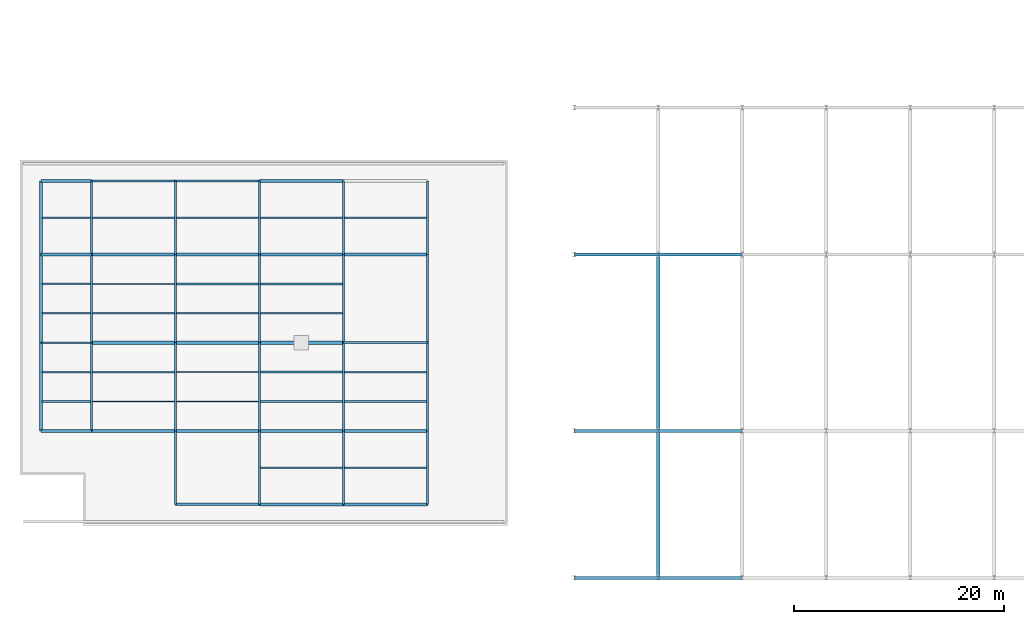
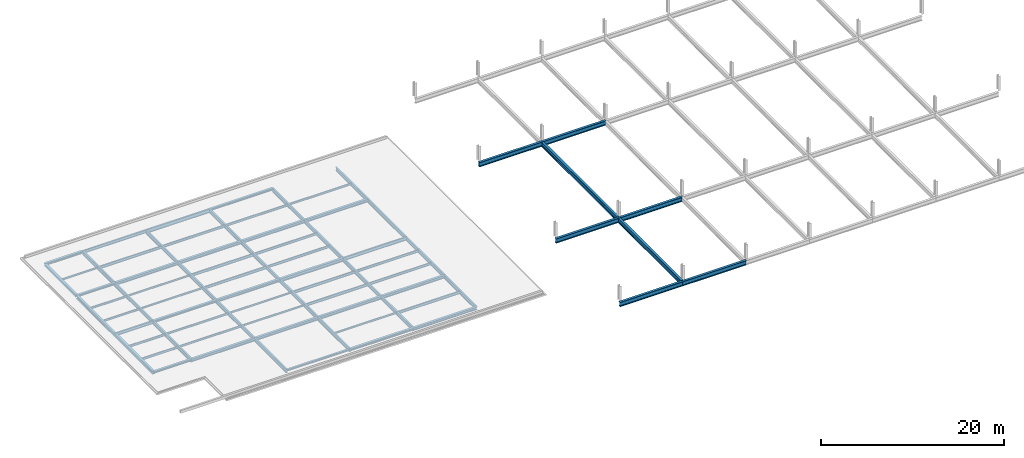
# One storey, part 11 of 25: 77 beams.
"""IFC4 building model written with IfcOpenShell, lengths in metres."""

from ifc_helpers import new_model, si_unit, direction, frame, origin, origin_2d, place, context, subcontext, project, spatial, i_section, extrude, material, material_profile, profile_set, type_object, element, save


model = new_model("IFC4")

# Units and contexts
model_context = context("Model", 3, precision=1e-05, world=origin(), true_north=direction((0.0, 1.0)))
body_context = subcontext(model_context, "Body", "Model", "MODEL_VIEW")
ifc_project = project(units=[si_unit("LENGTHUNIT", "METRE"), si_unit("AREAUNIT", "SQUARE_METRE"), si_unit("VOLUMEUNIT", "CUBIC_METRE"), si_unit("PLANEANGLEUNIT", "RADIAN"), si_unit("MASSUNIT", "GRAM", prefix="KILO")], contexts=[model_context])

# Site, building, storey
site_placement = place(None, origin())
site = spatial("IfcSite", under=ifc_project, at=site_placement, CompositionType="ELEMENT")
building_placement = place(site_placement, origin())
building = spatial("IfcBuilding", under=site, at=building_placement, Name="Vekula Escarpment Museum", CompositionType="ELEMENT")
storey_placement = place(building_placement, frame((0.0, 0.0, 26.39990234375)))
storey = spatial("IfcBuildingStorey", under=building, at=storey_placement, Name="L06", CompositionType="ELEMENT", Elevation=26.39990234375)

# Beams
ifc_material_1 = material(Name="Steel S355", Category="steel")
ifc_material_profile_1 = material_profile(ifc_material_1, i_section(OverallWidth=0.280029296875, OverallDepth=0.280029296875, WebThickness=0.010498046875, FlangeThickness=0.01806640625, FilletRadius=0.02392578125, at=origin_2d()), Name="HEB 280")
ifc_profile_set_1 = profile_set([ifc_material_profile_1], Name="Steel S355")
beam_type_1 = type_object("IfcBeamType", Name="BM-GIRD-HEB280", PredefinedType="BEAM", material=ifc_profile_set_1)
beam_1_placement = place(storey_placement, frame((40.0, 83.39990234375, -0.33984375), z_axis=(1.0, 0.0, 0.0), x_axis=(0.0, 1.0, 0.0)))
element("IfcBeam", 1, at=beam_1_placement, inside=storey, type_object=beam_type_1, Name="Beam X L06 2225", PredefinedType="BEAM", context=body_context, shape_type="SweptSolid", body=[
    extrude(i_section(OverallWidth=0.280029296875, OverallDepth=0.280029296875, WebThickness=0.010498046875, FlangeThickness=0.01806640625, FilletRadius=0.02392578125, at=origin_2d()), origin(), (0.0, 0.0, 1.0), 8.0),
])
ifc_material_2 = material(Name="Steel S355", Category="steel")
ifc_material_profile_2 = material_profile(ifc_material_2, i_section(OverallWidth=0.300048828125, OverallDepth=0.300048828125, WebThickness=0.010986328125, FlangeThickness=0.01904296875, FilletRadius=0.027099609375, at=origin_2d()), Name="HEB 300")
ifc_profile_set_2 = profile_set([ifc_material_profile_2], Name="Steel S355")
beam_type_2 = type_object("IfcBeamType", Name="BM-GIRD-HEB300", PredefinedType="BEAM", material=ifc_profile_set_2)
for number, where, z_axis, x_axis, name in (
    (2, (40.0, 52.60009765625, -0.349853515625), (1.0, 0.0, 0.0), (0.0, 1.0, 0.0), "Beam X L06 2192"),
    (3, (24.0, 68.0, -0.349853515625), (1.0, 0.0, 0.0), (0.0, 1.0, 0.0), "Beam X L06 2205"),
):
    element("IfcBeam", number, at=place(storey_placement, frame(where, z_axis=z_axis, x_axis=x_axis)), inside=storey, type_object=beam_type_2, Name=name, PredefinedType="BEAM", context=body_context, shape_type="SweptSolid", body=[
        extrude(i_section(OverallWidth=0.300048828125, OverallDepth=0.300048828125, WebThickness=0.010986328125, FlangeThickness=0.01904296875, FilletRadius=0.027099609375, at=origin_2d()), origin(), (0.0, 0.0, 1.0), 8.0),
    ])
beam_2_placement = place(storey_placement, frame((19.199951171875, 83.39990234375, -0.349853515625), z_axis=(1.0, 0.0, 0.0), x_axis=(0.0, 1.0, 0.0)))
element("IfcBeam", 4, at=beam_2_placement, inside=storey, type_object=beam_type_2, Name="Beam X L06 2222", PredefinedType="BEAM", context=body_context, shape_type="SweptSolid", body=[
    extrude(i_section(OverallWidth=0.300048828125, OverallDepth=0.300048828125, WebThickness=0.010986328125, FlangeThickness=0.01904296875, FilletRadius=0.027099609375, at=origin_2d()), origin(), (0.0, 0.0, 1.0), 4.800048828125),
])
ifc_material_3 = material(Name="Steel S355", Category="steel")
ifc_material_profile_3 = material_profile(ifc_material_3, i_section(OverallWidth=0.300048828125, OverallDepth=0.360107421875, WebThickness=0.012451171875, FlangeThickness=0.0224609375, FilletRadius=0.027099609375, at=origin_2d()), Name="HEB 360")
ifc_profile_set_3 = profile_set([ifc_material_profile_3], Name="Steel S355")
beam_type_3 = type_object("IfcBeamType", Name="BM-GIRD-HEB360", PredefinedType="BEAM", material=ifc_profile_set_3)
for number, where, z_axis, x_axis, name in (
    (5, (48.0, 52.60009765625, -0.3798828125), (1.0, 0.0, 0.0), (0.0, 1.0, 0.0), "Beam X L06 2193"),
    (6, (32.0, 68.0, -0.3798828125), (1.0, 0.0, 0.0), (0.0, 1.0, 0.0), "Beam X L06 2206"),
):
    element("IfcBeam", number, at=place(storey_placement, frame(where, z_axis=z_axis, x_axis=x_axis)), inside=storey, type_object=beam_type_3, Name=name, PredefinedType="BEAM", context=body_context, shape_type="SweptSolid", body=[
        extrude(i_section(OverallWidth=0.300048828125, OverallDepth=0.360107421875, WebThickness=0.012451171875, FlangeThickness=0.0224609375, FilletRadius=0.027099609375, at=origin_2d()), origin(), (0.0, 0.0, 1.0), 8.0),
    ])
ifc_material_4 = material(Name="Steel S355", Category="steel")
ifc_material_profile_4 = material_profile(ifc_material_4, i_section(OverallWidth=0.300048828125, OverallDepth=0.449951171875, WebThickness=0.013916015625, FlangeThickness=0.02587890625, FilletRadius=0.027099609375, at=origin_2d()), Name="HEB 450")
ifc_profile_set_4 = profile_set([ifc_material_profile_4], Name="Steel S355")
beam_type_4 = type_object("IfcBeamType", Name="BM-GIRD-HEB450", PredefinedType="BEAM", material=ifc_profile_set_4)
beam_3_placement = place(storey_placement, frame((40.0, 68.0, -0.4248046875), z_axis=(1.0, 0.0, 0.0), x_axis=(0.0, 1.0, 0.0)))
element("IfcBeam", 7, at=beam_3_placement, inside=storey, type_object=beam_type_4, Name="Beam X L06 2207", PredefinedType="BEAM", context=body_context, shape_type="SweptSolid", body=[
    extrude(i_section(OverallWidth=0.300048828125, OverallDepth=0.449951171875, WebThickness=0.013916015625, FlangeThickness=0.02587890625, FilletRadius=0.027099609375, at=origin_2d()), origin(), (0.0, 0.0, 1.0), 8.0),
])
ifc_material_5 = material(Name="Steel S355", Category="steel")
ifc_material_profile_5 = material_profile(ifc_material_5, i_section(OverallWidth=0.300048828125, OverallDepth=0.60009765625, WebThickness=0.015380859375, FlangeThickness=0.030029296875, FilletRadius=0.027099609375, at=origin_2d()), Name="HEB 600")
ifc_profile_set_5 = profile_set([ifc_material_profile_5], Name="Steel S355")
beam_type_5 = type_object("IfcBeamType", Name="BM-GIRD-HEB600", PredefinedType="BEAM", material=ifc_profile_set_5)
for number, where, z_axis, x_axis, name in (
    (8, (70.0, 45.60009765625, -0.5498046875), (1.0, 0.0, 0.0), (0.0, 1.0, 0.0), "Roof Tie Girder L06 2384"),
    (9, (78.0, 45.60009765625, -0.5498046875), (1.0, 0.0, 0.0), (0.0, 1.0, 0.0), "Roof Tie Girder L06 2385"),
    (10, (70.0, 59.60009765625, -0.5498046875), (1.0, 0.0, 0.0), (0.0, 1.0, 0.0), "Roof Tie Girder L06 2391"),
    (11, (78.0, 59.60009765625, -0.5498046875), (1.0, 0.0, 0.0), (0.0, 1.0, 0.0), "Roof Tie Girder L06 2392"),
    (12, (70.0, 76.39990234375, -0.5498046875), (1.0, 0.0, 0.0), (0.0, 1.0, 0.0), "Roof Tie Girder L06 2398"),
    (13, (78.0, 76.39990234375, -0.5498046875), (1.0, 0.0, 0.0), (0.0, 1.0, 0.0), "Roof Tie Girder L06 2399"),
):
    element("IfcBeam", number, at=place(storey_placement, frame(where, z_axis=z_axis, x_axis=x_axis)), inside=storey, type_object=beam_type_5, Name=name, PredefinedType="BEAM", context=body_context, shape_type="SweptSolid", body=[
        extrude(i_section(OverallWidth=0.300048828125, OverallDepth=0.60009765625, WebThickness=0.015380859375, FlangeThickness=0.030029296875, FilletRadius=0.027099609375, at=origin_2d()), origin(), (0.0, 0.0, 1.0), 8.0),
    ])
beam_4_placement = place(storey_placement, frame((78.0, 45.60009765625, -0.5498046875), z_axis=(0.0, 1.0, 0.0), x_axis=(-1.0, 0.0, 0.0)))
element("IfcBeam", 14, at=beam_4_placement, inside=storey, type_object=beam_type_5, Name="Sawtooth Tie Girder L06 2412", PredefinedType="BEAM", context=body_context, shape_type="SweptSolid", body=[
    extrude(i_section(OverallWidth=0.300048828125, OverallDepth=0.60009765625, WebThickness=0.015380859375, FlangeThickness=0.030029296875, FilletRadius=0.027099609375, at=origin_2d()), origin(), (0.0, 0.0, 1.0), 14.0),
])
beam_5_placement = place(storey_placement, frame((78.0, 59.60009765625, -0.5498046875), z_axis=(0.0, 1.0, 0.0), x_axis=(-1.0, 0.0, 0.0)))
element("IfcBeam", 15, at=beam_5_placement, inside=storey, type_object=beam_type_5, Name="Sawtooth Tie Girder L06 2413", PredefinedType="BEAM", context=body_context, shape_type="SweptSolid", body=[
    extrude(i_section(OverallWidth=0.300048828125, OverallDepth=0.60009765625, WebThickness=0.015380859375, FlangeThickness=0.030029296875, FilletRadius=0.027099609375, at=origin_2d()), origin(), (0.0, 0.0, 1.0), 16.7998046875),
])
ifc_material_6 = material(Name="Steel S355", Category="steel")
ifc_material_profile_6 = material_profile(ifc_material_6, i_section(OverallWidth=0.179931640625, OverallDepth=0.39990234375, WebThickness=0.008544921875, FlangeThickness=0.013427734375, FilletRadius=0.02099609375, at=origin_2d()), Name="IPE 400")
ifc_profile_set_6 = profile_set([ifc_material_profile_6], Name="Steel S355")
beam_type_6 = type_object("IfcBeamType", Name="BM-GIRD-IPE400", PredefinedType="BEAM", material=ifc_profile_set_6)
beam_6_placement = place(storey_placement, frame((19.199951171875, 68.0, -0.39990234375), z_axis=(1.0, 0.0, 0.0), x_axis=(0.0, 1.0, 0.0)))
element("IfcBeam", 16, at=beam_6_placement, inside=storey, type_object=beam_type_6, Name="Beam X L06 2204", PredefinedType="BEAM", context=body_context, shape_type="SweptSolid", body=[
    extrude(i_section(OverallWidth=0.179931640625, OverallDepth=0.39990234375, WebThickness=0.008544921875, FlangeThickness=0.013427734375, FilletRadius=0.02099609375, at=origin_2d()), origin(), (0.0, 0.0, 1.0), 4.800048828125),
])
beam_7_placement = place(storey_placement, frame((24.0, 83.39990234375, -0.39990234375), z_axis=(1.0, 0.0, 0.0), x_axis=(0.0, 1.0, 0.0)))
element("IfcBeam", 17, at=beam_7_placement, inside=storey, type_object=beam_type_6, Name="Beam X L06 2223", PredefinedType="BEAM", context=body_context, shape_type="SweptSolid", body=[
    extrude(i_section(OverallWidth=0.179931640625, OverallDepth=0.39990234375, WebThickness=0.008544921875, FlangeThickness=0.013427734375, FilletRadius=0.02099609375, at=origin_2d()), origin(), (0.0, 0.0, 1.0), 8.0),
])
ifc_material_7 = material(Name="Steel S355", Category="steel")
ifc_material_profile_7 = material_profile(ifc_material_7, i_section(OverallWidth=0.18994140625, OverallDepth=0.449951171875, WebThickness=0.009521484375, FlangeThickness=0.0146484375, FilletRadius=0.02099609375, at=origin_2d()), Name="IPE 450")
ifc_profile_set_7 = profile_set([ifc_material_profile_7], Name="Steel S355")
beam_type_7 = type_object("IfcBeamType", Name="BM-GIRD-IPE450", PredefinedType="BEAM", material=ifc_profile_set_7)
beam_8_placement = place(storey_placement, frame((48.0, 68.0, -0.4248046875), z_axis=(1.0, 0.0, 0.0), x_axis=(0.0, 1.0, 0.0)))
element("IfcBeam", 18, at=beam_8_placement, inside=storey, type_object=beam_type_7, Name="Beam X L06 2208", PredefinedType="BEAM", context=body_context, shape_type="SweptSolid", body=[
    extrude(i_section(OverallWidth=0.18994140625, OverallDepth=0.449951171875, WebThickness=0.009521484375, FlangeThickness=0.0146484375, FilletRadius=0.02099609375, at=origin_2d()), origin(), (0.0, 0.0, 1.0), 8.0),
])
ifc_material_8 = material(Name="Steel S355", Category="steel")
ifc_material_profile_8 = material_profile(ifc_material_8, i_section(OverallWidth=0.199951171875, OverallDepth=0.5, WebThickness=0.01025390625, FlangeThickness=0.01611328125, FilletRadius=0.02099609375, at=origin_2d()), Name="IPE 500")
ifc_profile_set_8 = profile_set([ifc_material_profile_8], Name="Steel S355")
beam_type_8 = type_object("IfcBeamType", Name="BM-GIRD-IPE500", PredefinedType="BEAM", material=ifc_profile_set_8)
beam_9_placement = place(storey_placement, frame((32.0, 83.39990234375, -0.449951171875), z_axis=(1.0, 0.0, 0.0), x_axis=(0.0, 1.0, 0.0)))
element("IfcBeam", 19, at=beam_9_placement, inside=storey, type_object=beam_type_8, Name="Beam X L06 2224", PredefinedType="BEAM", context=body_context, shape_type="SweptSolid", body=[
    extrude(i_section(OverallWidth=0.199951171875, OverallDepth=0.5, WebThickness=0.01025390625, FlangeThickness=0.01611328125, FilletRadius=0.02099609375, at=origin_2d()), origin(), (0.0, 0.0, 1.0), 8.0),
])
for number, where, z_axis, x_axis, name in (
    (20, (24.0, 59.60009765625, -0.449951171875), (0.0, 1.0, 0.0), (-1.0, 0.0, 0.0), "Beam Y L06 2247"),
    (21, (24.0, 68.0, -0.449951171875), (0.0, 1.0, 0.0), (-1.0, 0.0, 0.0), "Beam Y L06 2248"),
):
    element("IfcBeam", number, at=place(storey_placement, frame(where, z_axis=z_axis, x_axis=x_axis)), inside=storey, type_object=beam_type_8, Name=name, PredefinedType="BEAM", context=body_context, shape_type="SweptSolid", body=[
        extrude(i_section(OverallWidth=0.199951171875, OverallDepth=0.5, WebThickness=0.01025390625, FlangeThickness=0.01611328125, FilletRadius=0.02099609375, at=origin_2d()), origin(), (0.0, 0.0, 1.0), 8.39990234375),
    ])
for number, where, z_axis, x_axis, name in (
    (22, (24.0, 76.39990234375, -0.449951171875), (0.0, 1.0, 0.0), (-1.0, 0.0, 0.0), "Beam Y L06 2249"),
    (23, (32.0, 52.60009765625, -0.449951171875), (0.0, 1.0, 0.0), (-1.0, 0.0, 0.0), "Beam Y L06 2250"),
):
    element("IfcBeam", number, at=place(storey_placement, frame(where, z_axis=z_axis, x_axis=x_axis)), inside=storey, type_object=beam_type_8, Name=name, PredefinedType="BEAM", context=body_context, shape_type="SweptSolid", body=[
        extrude(i_section(OverallWidth=0.199951171875, OverallDepth=0.5, WebThickness=0.01025390625, FlangeThickness=0.01611328125, FilletRadius=0.02099609375, at=origin_2d()), origin(), (0.0, 0.0, 1.0), 7.0),
    ])
for number, where, z_axis, x_axis, name in (
    (24, (32.0, 59.60009765625, -0.449951171875), (0.0, 1.0, 0.0), (-1.0, 0.0, 0.0), "Beam Y L06 2251"),
    (25, (32.0, 68.0, -0.449951171875), (0.0, 1.0, 0.0), (-1.0, 0.0, 0.0), "Beam Y L06 2252"),
):
    element("IfcBeam", number, at=place(storey_placement, frame(where, z_axis=z_axis, x_axis=x_axis)), inside=storey, type_object=beam_type_8, Name=name, PredefinedType="BEAM", context=body_context, shape_type="SweptSolid", body=[
        extrude(i_section(OverallWidth=0.199951171875, OverallDepth=0.5, WebThickness=0.01025390625, FlangeThickness=0.01611328125, FilletRadius=0.02099609375, at=origin_2d()), origin(), (0.0, 0.0, 1.0), 8.39990234375),
    ])
for number, where, z_axis, x_axis, name in (
    (26, (32.0, 76.39990234375, -0.449951171875), (0.0, 1.0, 0.0), (-1.0, 0.0, 0.0), "Beam Y L06 2253"),
    (27, (40.0, 52.60009765625, -0.449951171875), (0.0, 1.0, 0.0), (-1.0, 0.0, 0.0), "Beam Y L06 2254"),
):
    element("IfcBeam", number, at=place(storey_placement, frame(where, z_axis=z_axis, x_axis=x_axis)), inside=storey, type_object=beam_type_8, Name=name, PredefinedType="BEAM", context=body_context, shape_type="SweptSolid", body=[
        extrude(i_section(OverallWidth=0.199951171875, OverallDepth=0.5, WebThickness=0.01025390625, FlangeThickness=0.01611328125, FilletRadius=0.02099609375, at=origin_2d()), origin(), (0.0, 0.0, 1.0), 7.0),
    ])
for number, where, z_axis, x_axis, name in (
    (28, (40.0, 59.60009765625, -0.449951171875), (0.0, 1.0, 0.0), (-1.0, 0.0, 0.0), "Beam Y L06 2255"),
    (29, (40.0, 68.0, -0.449951171875), (0.0, 1.0, 0.0), (-1.0, 0.0, 0.0), "Beam Y L06 2256"),
):
    element("IfcBeam", number, at=place(storey_placement, frame(where, z_axis=z_axis, x_axis=x_axis)), inside=storey, type_object=beam_type_8, Name=name, PredefinedType="BEAM", context=body_context, shape_type="SweptSolid", body=[
        extrude(i_section(OverallWidth=0.199951171875, OverallDepth=0.5, WebThickness=0.01025390625, FlangeThickness=0.01611328125, FilletRadius=0.02099609375, at=origin_2d()), origin(), (0.0, 0.0, 1.0), 8.39990234375),
    ])
for number, where, z_axis, x_axis, name in (
    (30, (40.0, 76.39990234375, -0.449951171875), (0.0, 1.0, 0.0), (-1.0, 0.0, 0.0), "Beam Y L06 2257"),
    (31, (48.0, 52.60009765625, -0.449951171875), (0.0, 1.0, 0.0), (-1.0, 0.0, 0.0), "Beam Y L06 2258"),
):
    element("IfcBeam", number, at=place(storey_placement, frame(where, z_axis=z_axis, x_axis=x_axis)), inside=storey, type_object=beam_type_8, Name=name, PredefinedType="BEAM", context=body_context, shape_type="SweptSolid", body=[
        extrude(i_section(OverallWidth=0.199951171875, OverallDepth=0.5, WebThickness=0.01025390625, FlangeThickness=0.01611328125, FilletRadius=0.02099609375, at=origin_2d()), origin(), (0.0, 0.0, 1.0), 7.0),
    ])
for number, where, z_axis, x_axis, name in (
    (32, (48.0, 59.60009765625, -0.449951171875), (0.0, 1.0, 0.0), (-1.0, 0.0, 0.0), "Beam Y L06 2259"),
    (33, (48.0, 68.0, -0.449951171875), (0.0, 1.0, 0.0), (-1.0, 0.0, 0.0), "Beam Y L06 2260"),
):
    element("IfcBeam", number, at=place(storey_placement, frame(where, z_axis=z_axis, x_axis=x_axis)), inside=storey, type_object=beam_type_8, Name=name, PredefinedType="BEAM", context=body_context, shape_type="SweptSolid", body=[
        extrude(i_section(OverallWidth=0.199951171875, OverallDepth=0.5, WebThickness=0.01025390625, FlangeThickness=0.01611328125, FilletRadius=0.02099609375, at=origin_2d()), origin(), (0.0, 0.0, 1.0), 8.39990234375),
    ])
for number, where, z_axis, x_axis, name in (
    (34, (48.0, 76.39990234375, -0.449951171875), (0.0, 1.0, 0.0), (-1.0, 0.0, 0.0), "Beam Y L06 2261"),
    (35, (56.0, 52.60009765625, -0.449951171875), (0.0, 1.0, 0.0), (-1.0, 0.0, 0.0), "Beam Y L06 2262"),
):
    element("IfcBeam", number, at=place(storey_placement, frame(where, z_axis=z_axis, x_axis=x_axis)), inside=storey, type_object=beam_type_8, Name=name, PredefinedType="BEAM", context=body_context, shape_type="SweptSolid", body=[
        extrude(i_section(OverallWidth=0.199951171875, OverallDepth=0.5, WebThickness=0.01025390625, FlangeThickness=0.01611328125, FilletRadius=0.02099609375, at=origin_2d()), origin(), (0.0, 0.0, 1.0), 7.0),
    ])
for number, where, z_axis, x_axis, name in (
    (36, (56.0, 59.60009765625, -0.449951171875), (0.0, 1.0, 0.0), (-1.0, 0.0, 0.0), "Beam Y L06 2263"),
    (37, (56.0, 68.0, -0.449951171875), (0.0, 1.0, 0.0), (-1.0, 0.0, 0.0), "Beam Y L06 2264"),
):
    element("IfcBeam", number, at=place(storey_placement, frame(where, z_axis=z_axis, x_axis=x_axis)), inside=storey, type_object=beam_type_8, Name=name, PredefinedType="BEAM", context=body_context, shape_type="SweptSolid", body=[
        extrude(i_section(OverallWidth=0.199951171875, OverallDepth=0.5, WebThickness=0.01025390625, FlangeThickness=0.01611328125, FilletRadius=0.02099609375, at=origin_2d()), origin(), (0.0, 0.0, 1.0), 8.39990234375),
    ])
beam_10_placement = place(storey_placement, frame((56.0, 76.39990234375, -0.449951171875), z_axis=(0.0, 1.0, 0.0), x_axis=(-1.0, 0.0, 0.0)))
element("IfcBeam", 38, at=beam_10_placement, inside=storey, type_object=beam_type_8, Name="Beam Y L06 2265", PredefinedType="BEAM", context=body_context, shape_type="SweptSolid", body=[
    extrude(i_section(OverallWidth=0.199951171875, OverallDepth=0.5, WebThickness=0.01025390625, FlangeThickness=0.01611328125, FilletRadius=0.02099609375, at=origin_2d()), origin(), (0.0, 0.0, 1.0), 7.0),
])
ifc_material_9 = material(Name="Steel S355", Category="steel")
ifc_material_profile_9 = material_profile(ifc_material_9, i_section(OverallWidth=0.1201171875, OverallDepth=0.239990234375, WebThickness=0.006103515625, FlangeThickness=0.009765625, FilletRadius=0.014892578125, at=origin_2d()), Name="IPE 240")
ifc_profile_set_9 = profile_set([ifc_material_profile_9], Name="Steel S355")
beam_type_9 = type_object("IfcBeamType", Name="BM-JST-IPE240", PredefinedType="JOIST", material=ifc_profile_set_9)
beam_11_placement = place(storey_placement, frame((19.2900390625, 79.89990234375, -0.31982421875), z_axis=(1.0, 0.0, 0.0), x_axis=(0.0, 1.0, 0.0)))
element("IfcBeam", 39, at=beam_11_placement, inside=storey, type_object=beam_type_9, Name="Secondary Joist L06 1429", PredefinedType="JOIST", context=body_context, shape_type="SweptSolid", body=[
    extrude(i_section(OverallWidth=0.1201171875, OverallDepth=0.239990234375, WebThickness=0.006103515625, FlangeThickness=0.009765625, FilletRadius=0.014892578125, at=origin_2d()), origin(), (0.0, 0.0, 1.0), 4.619873046875),
])
for number, where, z_axis, x_axis, name in (
    (40, (24.090087890625, 70.800048828125, -0.31982421875), (1.0, 0.0, 0.0), (0.0, 1.0, 0.0), "Secondary Joist L06 1432"),
    (41, (24.090087890625, 73.60009765625, -0.31982421875), (1.0, 0.0, 0.0), (0.0, 1.0, 0.0), "Secondary Joist L06 1433"),
    (42, (32.090087890625, 62.39990234375, -0.31982421875), (1.0, 0.0, 0.0), (0.0, 1.0, 0.0), "Secondary Joist L06 1435"),
    (43, (32.090087890625, 65.199951171875, -0.31982421875), (1.0, 0.0, 0.0), (0.0, 1.0, 0.0), "Secondary Joist L06 1436"),
    (44, (40.090087890625, 56.10009765625, -0.31982421875), (1.0, 0.0, 0.0), (0.0, 1.0, 0.0), "Secondary Joist L06 1440"),
):
    element("IfcBeam", number, at=place(storey_placement, frame(where, z_axis=z_axis, x_axis=x_axis)), inside=storey, type_object=beam_type_9, Name=name, PredefinedType="JOIST", context=body_context, shape_type="SweptSolid", body=[
        extrude(i_section(OverallWidth=0.1201171875, OverallDepth=0.239990234375, WebThickness=0.006103515625, FlangeThickness=0.009765625, FilletRadius=0.014892578125, at=origin_2d()), origin(), (0.0, 0.0, 1.0), 7.81982421875),
    ])
ifc_material_10 = material(Name="Steel S355", Category="steel")
ifc_material_profile_10 = material_profile(ifc_material_10, i_section(OverallWidth=0.135009765625, OverallDepth=0.27001953125, WebThickness=0.006591796875, FlangeThickness=0.01025390625, FilletRadius=0.014892578125, at=origin_2d()), Name="IPE 270")
ifc_profile_set_10 = profile_set([ifc_material_profile_10], Name="Steel S355")
beam_type_10 = type_object("IfcBeamType", Name="BM-JST-IPE270", PredefinedType="JOIST", material=ifc_profile_set_10)
for number, where, z_axis, x_axis, name in (
    (45, (19.2900390625, 70.800048828125, -0.3349609375), (1.0, 0.0, 0.0), (0.0, 1.0, 0.0), "Secondary Joist L06 1427"),
    (46, (19.2900390625, 73.60009765625, -0.3349609375), (1.0, 0.0, 0.0), (0.0, 1.0, 0.0), "Secondary Joist L06 1428"),
):
    element("IfcBeam", number, at=place(storey_placement, frame(where, z_axis=z_axis, x_axis=x_axis)), inside=storey, type_object=beam_type_10, Name=name, PredefinedType="JOIST", context=body_context, shape_type="SweptSolid", body=[
        extrude(i_section(OverallWidth=0.135009765625, OverallDepth=0.27001953125, WebThickness=0.006591796875, FlangeThickness=0.01025390625, FilletRadius=0.014892578125, at=origin_2d()), origin(), (0.0, 0.0, 1.0), 4.619873046875),
    ])
for number, where, z_axis, x_axis, name in (
    (47, (24.090087890625, 62.39990234375, -0.3349609375), (1.0, 0.0, 0.0), (0.0, 1.0, 0.0), "Secondary Joist L06 1430"),
    (48, (24.090087890625, 65.199951171875, -0.3349609375), (1.0, 0.0, 0.0), (0.0, 1.0, 0.0), "Secondary Joist L06 1431"),
    (49, (48.090087890625, 79.89990234375, -0.3349609375), (1.0, 0.0, 0.0), (0.0, 1.0, 0.0), "Secondary Joist L06 1449"),
):
    element("IfcBeam", number, at=place(storey_placement, frame(where, z_axis=z_axis, x_axis=x_axis)), inside=storey, type_object=beam_type_10, Name=name, PredefinedType="JOIST", context=body_context, shape_type="SweptSolid", body=[
        extrude(i_section(OverallWidth=0.135009765625, OverallDepth=0.27001953125, WebThickness=0.006591796875, FlangeThickness=0.01025390625, FilletRadius=0.014892578125, at=origin_2d()), origin(), (0.0, 0.0, 1.0), 7.81982421875),
    ])
ifc_material_11 = material(Name="Steel S355", Category="steel")
ifc_material_profile_11 = material_profile(ifc_material_11, i_section(OverallWidth=0.14990234375, OverallDepth=0.300048828125, WebThickness=0.007080078125, FlangeThickness=0.0107421875, FilletRadius=0.014892578125, at=origin_2d()), Name="IPE 300")
ifc_profile_set_11 = profile_set([ifc_material_profile_11], Name="Steel S355")
beam_type_11 = type_object("IfcBeamType", Name="BM-JST-IPE300", PredefinedType="JOIST", material=ifc_profile_set_11)
for number, where, z_axis, x_axis, name in (
    (50, (19.2900390625, 62.39990234375, -0.349853515625), (1.0, 0.0, 0.0), (0.0, 1.0, 0.0), "Secondary Joist L06 1425"),
    (51, (19.2900390625, 65.199951171875, -0.349853515625), (1.0, 0.0, 0.0), (0.0, 1.0, 0.0), "Secondary Joist L06 1426"),
):
    element("IfcBeam", number, at=place(storey_placement, frame(where, z_axis=z_axis, x_axis=x_axis)), inside=storey, type_object=beam_type_11, Name=name, PredefinedType="JOIST", context=body_context, shape_type="SweptSolid", body=[
        extrude(i_section(OverallWidth=0.14990234375, OverallDepth=0.300048828125, WebThickness=0.007080078125, FlangeThickness=0.0107421875, FilletRadius=0.014892578125, at=origin_2d()), origin(), (0.0, 0.0, 1.0), 4.619873046875),
    ])
beam_12_placement = place(storey_placement, frame((40.090087890625, 79.89990234375, -0.349853515625), z_axis=(1.0, 0.0, 0.0), x_axis=(0.0, 1.0, 0.0)))
element("IfcBeam", 52, at=beam_12_placement, inside=storey, type_object=beam_type_11, Name="Secondary Joist L06 1445", PredefinedType="JOIST", context=body_context, shape_type="SweptSolid", body=[
    extrude(i_section(OverallWidth=0.14990234375, OverallDepth=0.300048828125, WebThickness=0.007080078125, FlangeThickness=0.0107421875, FilletRadius=0.014892578125, at=origin_2d()), origin(), (0.0, 0.0, 1.0), 7.81982421875),
])
ifc_material_12 = material(Name="Steel S355", Category="steel")
ifc_material_profile_12 = material_profile(ifc_material_12, i_section(OverallWidth=0.159912109375, OverallDepth=0.330078125, WebThickness=0.007568359375, FlangeThickness=0.011474609375, FilletRadius=0.01806640625, at=origin_2d()), Name="IPE 330")
ifc_profile_set_12 = profile_set([ifc_material_profile_12], Name="Steel S355")
beam_type_12 = type_object("IfcBeamType", Name="BM-JST-IPE330", PredefinedType="JOIST", material=ifc_profile_set_12)
for number, where, z_axis, x_axis, name in (
    (53, (32.090087890625, 79.89990234375, -0.364990234375), (1.0, 0.0, 0.0), (0.0, 1.0, 0.0), "Secondary Joist L06 1439"),
    (54, (40.090087890625, 70.800048828125, -0.364990234375), (1.0, 0.0, 0.0), (0.0, 1.0, 0.0), "Secondary Joist L06 1443"),
    (55, (40.090087890625, 73.60009765625, -0.364990234375), (1.0, 0.0, 0.0), (0.0, 1.0, 0.0), "Secondary Joist L06 1444"),
    (56, (48.090087890625, 62.39990234375, -0.364990234375), (1.0, 0.0, 0.0), (0.0, 1.0, 0.0), "Secondary Joist L06 1447"),
    (57, (48.090087890625, 65.199951171875, -0.364990234375), (1.0, 0.0, 0.0), (0.0, 1.0, 0.0), "Secondary Joist L06 1448"),
):
    element("IfcBeam", number, at=place(storey_placement, frame(where, z_axis=z_axis, x_axis=x_axis)), inside=storey, type_object=beam_type_12, Name=name, PredefinedType="JOIST", context=body_context, shape_type="SweptSolid", body=[
        extrude(i_section(OverallWidth=0.159912109375, OverallDepth=0.330078125, WebThickness=0.007568359375, FlangeThickness=0.011474609375, FilletRadius=0.01806640625, at=origin_2d()), origin(), (0.0, 0.0, 1.0), 7.81982421875),
    ])
ifc_material_13 = material(Name="Steel S355", Category="steel")
ifc_material_profile_13 = material_profile(ifc_material_13, i_section(OverallWidth=0.169921875, OverallDepth=0.360107421875, WebThickness=0.008056640625, FlangeThickness=0.0126953125, FilletRadius=0.01806640625, at=origin_2d()), Name="IPE 360")
ifc_profile_set_13 = profile_set([ifc_material_profile_13], Name="Steel S355")
beam_type_13 = type_object("IfcBeamType", Name="BM-JST-IPE360", PredefinedType="JOIST", material=ifc_profile_set_13)
for number, where, z_axis, x_axis, name in (
    (58, (24.090087890625, 79.89990234375, -0.3798828125), (1.0, 0.0, 0.0), (0.0, 1.0, 0.0), "Secondary Joist L06 1434"),
    (59, (32.090087890625, 70.800048828125, -0.3798828125), (1.0, 0.0, 0.0), (0.0, 1.0, 0.0), "Secondary Joist L06 1437"),
    (60, (32.090087890625, 73.60009765625, -0.3798828125), (1.0, 0.0, 0.0), (0.0, 1.0, 0.0), "Secondary Joist L06 1438"),
    (61, (40.090087890625, 62.39990234375, -0.3798828125), (1.0, 0.0, 0.0), (0.0, 1.0, 0.0), "Secondary Joist L06 1441"),
    (62, (40.090087890625, 65.199951171875, -0.3798828125), (1.0, 0.0, 0.0), (0.0, 1.0, 0.0), "Secondary Joist L06 1442"),
    (63, (48.090087890625, 56.10009765625, -0.3798828125), (1.0, 0.0, 0.0), (0.0, 1.0, 0.0), "Secondary Joist L06 1446"),
):
    element("IfcBeam", number, at=place(storey_placement, frame(where, z_axis=z_axis, x_axis=x_axis)), inside=storey, type_object=beam_type_13, Name=name, PredefinedType="JOIST", context=body_context, shape_type="SweptSolid", body=[
        extrude(i_section(OverallWidth=0.169921875, OverallDepth=0.360107421875, WebThickness=0.008056640625, FlangeThickness=0.0126953125, FilletRadius=0.01806640625, at=origin_2d()), origin(), (0.0, 0.0, 1.0), 7.81982421875),
    ])
ifc_material_14 = material(Name="Steel S355", Category="steel")
ifc_material_profile_14 = material_profile(ifc_material_14, i_section(OverallWidth=0.239990234375, OverallDepth=0.22998046875, WebThickness=0.007568359375, FlangeThickness=0.011962890625, FilletRadius=0.02099609375, at=origin_2d()), Name="HEA 240")
ifc_profile_set_14 = profile_set([ifc_material_profile_14], Name="Steel S355")
beam_type_14 = type_object("IfcBeamType", Name="BM-SPAN-HEA240", PredefinedType="SPANDREL", material=ifc_profile_set_14)
beam_13_placement = place(storey_placement, frame((32.0, 52.60009765625, -0.31494140625), z_axis=(1.0, 0.0, 0.0), x_axis=(0.0, 1.0, 0.0)))
element("IfcBeam", 64, at=beam_13_placement, inside=storey, type_object=beam_type_14, Name="Beam X L06 2191", PredefinedType="SPANDREL", context=body_context, shape_type="SweptSolid", body=[
    extrude(i_section(OverallWidth=0.239990234375, OverallDepth=0.22998046875, WebThickness=0.007568359375, FlangeThickness=0.011962890625, FilletRadius=0.02099609375, at=origin_2d()), origin(), (0.0, 0.0, 1.0), 8.0),
])
ifc_material_15 = material(Name="Steel S355", Category="steel")
ifc_material_profile_15 = material_profile(ifc_material_15, i_section(OverallWidth=0.280029296875, OverallDepth=0.27001953125, WebThickness=0.008056640625, FlangeThickness=0.012939453125, FilletRadius=0.02392578125, at=origin_2d()), Name="HEA 280")
ifc_profile_set_15 = profile_set([ifc_material_profile_15], Name="Steel S355")
beam_type_15 = type_object("IfcBeamType", Name="BM-SPAN-HEA280", PredefinedType="SPANDREL", material=ifc_profile_set_15)
for number, where, z_axis, x_axis, name in (
    (65, (19.199951171875, 59.60009765625, -0.3349609375), (1.0, 0.0, 0.0), (0.0, 1.0, 0.0), "Beam X L06 2196"),
    (66, (19.199951171875, 76.39990234375, -0.3349609375), (1.0, 0.0, 0.0), (0.0, 1.0, 0.0), "Beam X L06 2213"),
):
    element("IfcBeam", number, at=place(storey_placement, frame(where, z_axis=z_axis, x_axis=x_axis)), inside=storey, type_object=beam_type_15, Name=name, PredefinedType="SPANDREL", context=body_context, shape_type="SweptSolid", body=[
        extrude(i_section(OverallWidth=0.280029296875, OverallDepth=0.27001953125, WebThickness=0.008056640625, FlangeThickness=0.012939453125, FilletRadius=0.02392578125, at=origin_2d()), origin(), (0.0, 0.0, 1.0), 4.800048828125),
    ])
ifc_material_16 = material(Name="Steel S355", Category="steel")
ifc_material_profile_16 = material_profile(ifc_material_16, i_section(OverallWidth=0.300048828125, OverallDepth=0.2900390625, WebThickness=0.008544921875, FlangeThickness=0.013916015625, FilletRadius=0.027099609375, at=origin_2d()), Name="HEA 300")
ifc_profile_set_16 = profile_set([ifc_material_profile_16], Name="Steel S355")
beam_type_16 = type_object("IfcBeamType", Name="BM-SPAN-HEA300", PredefinedType="SPANDREL", material=ifc_profile_set_16)
beam_14_placement = place(storey_placement, frame((19.199951171875, 76.39990234375, -0.344970703125), z_axis=(0.0, 1.0, 0.0), x_axis=(-1.0, 0.0, 0.0)))
element("IfcBeam", 67, at=beam_14_placement, inside=storey, type_object=beam_type_16, Name="Beam Y L06 2246", PredefinedType="SPANDREL", context=body_context, shape_type="SweptSolid", body=[
    extrude(i_section(OverallWidth=0.300048828125, OverallDepth=0.2900390625, WebThickness=0.008544921875, FlangeThickness=0.013916015625, FilletRadius=0.027099609375, at=origin_2d()), origin(), (0.0, 0.0, 1.0), 7.0),
])
ifc_material_17 = material(Name="Steel S355", Category="steel")
ifc_material_profile_17 = material_profile(ifc_material_17, i_section(OverallWidth=0.300048828125, OverallDepth=0.389892578125, WebThickness=0.010986328125, FlangeThickness=0.01904296875, FilletRadius=0.027099609375, at=origin_2d()), Name="HEA 400")
ifc_profile_set_17 = profile_set([ifc_material_profile_17], Name="Steel S355")
beam_type_17 = type_object("IfcBeamType", Name="BM-SPAN-HEA400", PredefinedType="SPANDREL", material=ifc_profile_set_17)
for number, where, z_axis, x_axis, name in (
    (68, (24.0, 59.60009765625, -0.39501953125), (1.0, 0.0, 0.0), (0.0, 1.0, 0.0), "Beam X L06 2197"),
    (69, (32.0, 59.60009765625, -0.39501953125), (1.0, 0.0, 0.0), (0.0, 1.0, 0.0), "Beam X L06 2198"),
    (70, (40.0, 59.60009765625, -0.39501953125), (1.0, 0.0, 0.0), (0.0, 1.0, 0.0), "Beam X L06 2199"),
    (71, (48.0, 59.60009765625, -0.39501953125), (1.0, 0.0, 0.0), (0.0, 1.0, 0.0), "Beam X L06 2200"),
    (72, (24.0, 76.39990234375, -0.39501953125), (1.0, 0.0, 0.0), (0.0, 1.0, 0.0), "Beam X L06 2214"),
    (73, (32.0, 76.39990234375, -0.39501953125), (1.0, 0.0, 0.0), (0.0, 1.0, 0.0), "Beam X L06 2215"),
    (74, (40.0, 76.39990234375, -0.39501953125), (1.0, 0.0, 0.0), (0.0, 1.0, 0.0), "Beam X L06 2216"),
    (75, (48.0, 76.39990234375, -0.39501953125), (1.0, 0.0, 0.0), (0.0, 1.0, 0.0), "Beam X L06 2217"),
):
    element("IfcBeam", number, at=place(storey_placement, frame(where, z_axis=z_axis, x_axis=x_axis)), inside=storey, type_object=beam_type_17, Name=name, PredefinedType="SPANDREL", context=body_context, shape_type="SweptSolid", body=[
        extrude(i_section(OverallWidth=0.300048828125, OverallDepth=0.389892578125, WebThickness=0.010986328125, FlangeThickness=0.01904296875, FilletRadius=0.027099609375, at=origin_2d()), origin(), (0.0, 0.0, 1.0), 8.0),
    ])
ifc_material_18 = material(Name="Steel S355", Category="steel")
ifc_material_profile_18 = material_profile(ifc_material_18, i_section(OverallWidth=0.300048828125, OverallDepth=0.43994140625, WebThickness=0.011474609375, FlangeThickness=0.02099609375, FilletRadius=0.027099609375, at=origin_2d()), Name="HEA 450")
ifc_profile_set_18 = profile_set([ifc_material_profile_18], Name="Steel S355")
beam_type_18 = type_object("IfcBeamType", Name="BM-SPAN-HEA450", PredefinedType="SPANDREL", material=ifc_profile_set_18)
for number, where, z_axis, x_axis, name in (
    (76, (19.199951171875, 59.60009765625, -0.419921875), (0.0, 1.0, 0.0), (-1.0, 0.0, 0.0), "Beam Y L06 2244"),
    (77, (19.199951171875, 68.0, -0.419921875), (0.0, 1.0, 0.0), (-1.0, 0.0, 0.0), "Beam Y L06 2245"),
):
    element("IfcBeam", number, at=place(storey_placement, frame(where, z_axis=z_axis, x_axis=x_axis)), inside=storey, type_object=beam_type_18, Name=name, PredefinedType="SPANDREL", context=body_context, shape_type="SweptSolid", body=[
        extrude(i_section(OverallWidth=0.300048828125, OverallDepth=0.43994140625, WebThickness=0.011474609375, FlangeThickness=0.02099609375, FilletRadius=0.027099609375, at=origin_2d()), origin(), (0.0, 0.0, 1.0), 8.39990234375),
    ])

save(model, "model.ifc")
